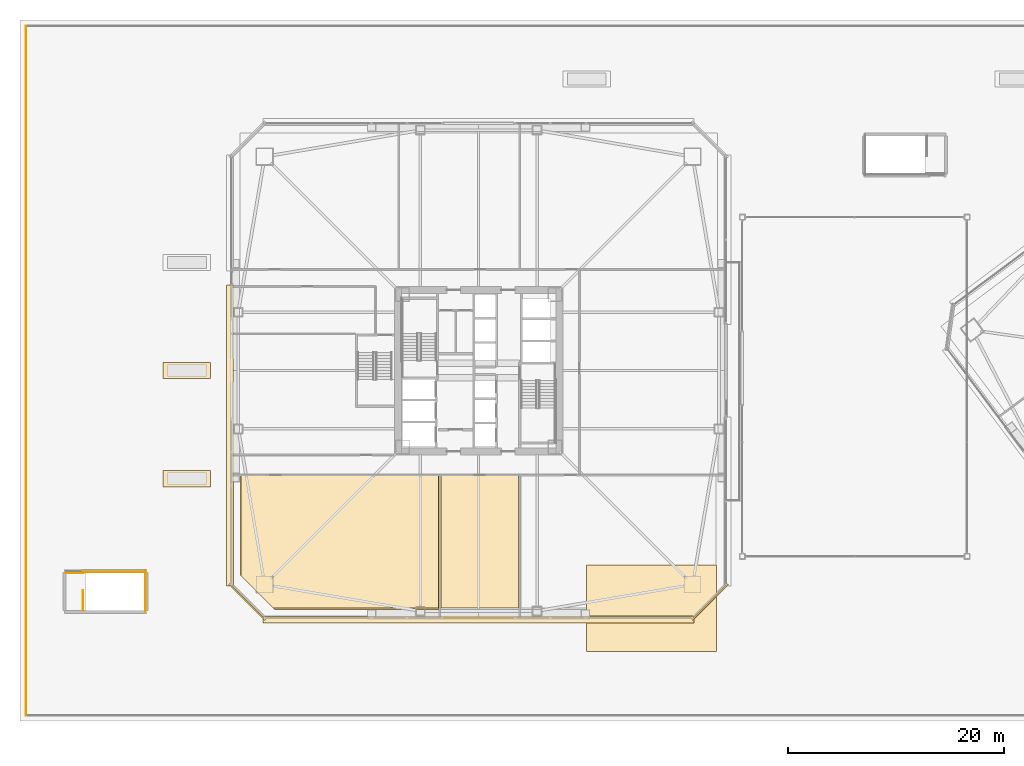
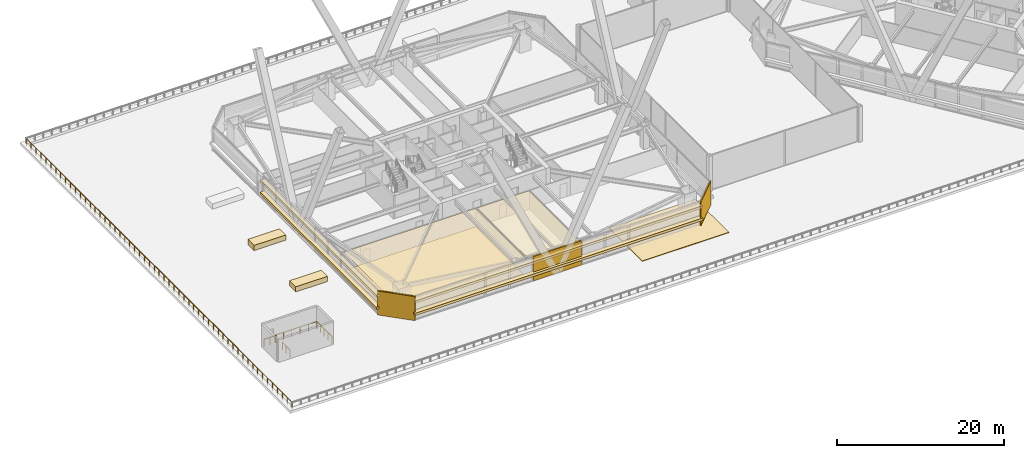
# One storey, part 73 of 83: 13 coverings, 5 railings.
"""IFC4 building model written with IfcOpenShell, lengths in metres."""

from ifc_helpers import new_model, si_unit, direction, frame, origin, origin_2d, place, context, subcontext, project, spatial, polyline, rectangle, outline, extrude, material, layer, layer_set, type_object, element, save


model = new_model("IFC4")

# Units and contexts
model_context = context("Model", 3, precision=1e-05, world=origin(), true_north=direction((0.0, 1.0)))
body_context = subcontext(model_context, "Body", "Model", "MODEL_VIEW")
ifc_project = project(units=[si_unit("LENGTHUNIT", "METRE"), si_unit("AREAUNIT", "SQUARE_METRE"), si_unit("VOLUMEUNIT", "CUBIC_METRE"), si_unit("PLANEANGLEUNIT", "RADIAN"), si_unit("MASSUNIT", "GRAM", prefix="KILO")], contexts=[model_context])

# Site, building, storey
site_placement = place(None, origin())
site = spatial("IfcSite", under=ifc_project, at=site_placement, CompositionType="ELEMENT")
building_placement = place(site_placement, origin())
building = spatial("IfcBuilding", under=site, at=building_placement, Name="Tashvorn Skyway Center", CompositionType="ELEMENT")
storey_placement = place(building_placement, frame((0.0, 0.0, 24.60009765625)))
storey = spatial("IfcBuildingStorey", under=building, at=storey_placement, Name="L05", CompositionType="ELEMENT", Elevation=24.60009765625)

# Coverings
ifc_material_1 = material(Name="Precast concrete C40/50", Category="concrete")
ifc_layer_1 = layer(ifc_material_1, 0.199951171875)
ifc_layer_set_1 = layer_set([ifc_layer_1], Name="Precast concrete C40/50")
covering_type_1 = type_object("IfcCoveringType", Name="COV-BRACE-CLAD", PredefinedType="CLADDING", material=ifc_layer_set_1)
covering_1_placement = place(storey_placement, frame((42.0, 9.1201171875, 0.0), z_axis=(0.0, 0.0, 1.0), x_axis=(-1.0, 0.0, 0.0)))
element("IfcCovering", 1, at=covering_1_placement, inside=storey, type_object=covering_type_1, Name="Tower 1 L05 South Unitised Curtain Wall Mega-Brace Cladding Band 1", PredefinedType="CLADDING", context=body_context, shape_type="SweptSolid", body=[
    extrude(rectangle(XDim=6.626708984375, YDim=0.199951171875, at=origin_2d()), origin(), (0.0, 0.0, 1.0), 3.550048828125),
])
ifc_material_2 = material(Name="Mineral-fibre acoustic ceiling tile on suspended grid")
ifc_layer_2 = layer(ifc_material_2, 0.02001953125)
ifc_layer_set_2 = layer_set([ifc_layer_2], Name="Mineral-fibre acoustic ceiling tile on suspended grid")
covering_type_2 = type_object("IfcCoveringType", Name="COV-CEIL-20", PredefinedType="CEILING", material=ifc_layer_set_2)
covering_2_placement = place(storey_placement, frame((0.0, 0.0, 2.682861328125)))
element("IfcCovering", 2, at=covering_2_placement, inside=storey, type_object=covering_type_2, Name="Tower 1 L05 Open Plan Office Acoustic Ceiling", PredefinedType="CEILING", context=body_context, shape_type="SweptSolid", body=[
    extrude(outline(polyline([(20.02001953125, 22.2900390625), (38.280029296875, 22.2900390625), (38.280029296875, 10.02001953125), (22.97998046875, 10.02001953125), (20.02001953125, 12.97998046875), (20.02001953125, 22.2900390625)])), origin(), (0.0, 0.0, 1.0), 0.02001953125),
])
covering_3_placement = place(storey_placement, frame((0.0, 0.0, 2.682861328125)))
element("IfcCovering", 3, at=covering_3_placement, inside=storey, type_object=covering_type_2, Name="Tower 1 L05 Catering Pantry Acoustic Ceiling", PredefinedType="CEILING", context=body_context, shape_type="SweptSolid", body=[
    extrude(outline(polyline([(38.52001953125, 22.2900390625), (45.679931640625, 22.2900390625), (45.679931640625, 10.02001953125), (38.52001953125, 10.02001953125), (38.52001953125, 22.2900390625)])), origin(), (0.0, 0.0, 1.0), 0.02001953125),
])
ifc_material_3 = material(Name="Polished Mojave desert-aggregate terrazzo and cover plate")
ifc_layer_3 = layer(ifc_material_3, 0.0400390625)
ifc_layer_set_3 = layer_set([ifc_layer_3], Name="Polished Mojave desert-aggregate terrazzo and cover plate")
covering_type_3 = type_object("IfcCoveringType", Name="COV-FLR-40", PredefinedType="FLOORING", material=ifc_layer_set_3)
covering_4_placement = place(storey_placement, origin())
element("IfcCovering", 4, at=covering_4_placement, inside=storey, type_object=covering_type_3, Name="Tower 1 L05 Open Plan Office Finish Flooring", PredefinedType="FLOORING", context=body_context, shape_type="SweptSolid", body=[
    extrude(outline(polyline([(23.10009765625, 9.89990234375), (19.97998046875, 13.02001953125), (19.97998046875, 22.25), (38.320068359375, 22.25), (38.320068359375, 9.89990234375), (23.10009765625, 9.89990234375)])), origin(), (0.0, 0.0, 1.0), 0.039794921875),
])
ifc_material_4 = material(Name="Inverted EPDM membrane and extruded polystyrene insulation")
ifc_layer_4 = layer(ifc_material_4, 0.080078125)
ifc_layer_set_4 = layer_set([ifc_layer_4], Name="Inverted EPDM membrane and extruded polystyrene insulation")
covering_type_4 = type_object("IfcCoveringType", Name="COV-ROOF-80", PredefinedType="ROOFING", material=ifc_layer_set_4)
covering_5_placement = place(storey_placement, origin())
element("IfcCovering", 5, at=covering_5_placement, inside=storey, type_object=covering_type_4, Name="L05 Podium Insulated Roof Membrane Zone", PredefinedType="ROOFING", context=body_context, shape_type="SweptSolid", body=[
    extrude(outline(polyline([(52.0, 6.0), (64.0, 6.0), (64.0, 14.0), (52.0, 14.0), (52.0, 6.0)])), origin(), (0.0, 0.0, 1.0), 0.079833984375),
])
ifc_material_5 = material(Name="Perforated ceramic-coated bronze aluminium solar screen", Category="aluminium")
ifc_layer_5 = layer(ifc_material_5, 0.85009765625)
ifc_layer_set_5 = layer_set([ifc_layer_5], Name="Perforated ceramic-coated bronze aluminium solar screen")
covering_type_5 = type_object("IfcCoveringType", Name="COV-SOLAR-BAND", PredefinedType="CLADDING", material=ifc_layer_set_5)
for number, where, z_axis, x_axis, name in (
    (6, (42.0, 8.97998046875, 0.919921875), (0.0, 0.0, 1.0), (-1.0, 0.0, 0.0), "L05 Perforated Ceramic-Metal Solar Screen Louvre Band South 1"),
    (7, (42.0, 8.97998046875, 2.7197265625), (0.0, 0.0, 1.0), (-1.0, 0.0, 0.0), "L05 Perforated Ceramic-Metal Solar Screen Louvre Band South 2"),
):
    element("IfcCovering", number, at=place(storey_placement, frame(where, z_axis=z_axis, x_axis=x_axis)), inside=storey, type_object=covering_type_5, Name=name, PredefinedType="CLADDING", context=body_context, shape_type="SweptSolid", body=[
        extrude(rectangle(XDim=39.8798828125, YDim=0.639892578125, at=origin_2d()), origin(), (0.0, 0.0, 1.0), 0.360107421875),
    ])
for number, where, z_axis, x_axis, name in (
    (8, (18.97998046875, 25.99365234375, 0.919921875), (0.0, 0.0, 1.0), (0.0, 1.0, 0.0), "L05 Perforated Ceramic-Metal Solar Screen Louvre Band West 1"),
    (9, (18.97998046875, 25.99365234375, 2.7197265625), (0.0, 0.0, 1.0), (0.0, 1.0, 0.0), "L05 Perforated Ceramic-Metal Solar Screen Louvre Band West 2"),
):
    element("IfcCovering", number, at=place(storey_placement, frame(where, z_axis=z_axis, x_axis=x_axis)), inside=storey, type_object=covering_type_5, Name=name, PredefinedType="CLADDING", context=body_context, shape_type="SweptSolid", body=[
        extrude(rectangle(XDim=27.867431640625, YDim=0.639892578125, at=origin_2d()), origin(), (0.0, 0.0, 1.0), 0.360107421875),
    ])
ifc_layer_6 = layer(ifc_material_1, 0.35009765625)
ifc_layer_set_6 = layer_set([ifc_layer_6], Name="Precast concrete C40/50")
covering_type_6 = type_object("IfcCoveringType", Name="COV-STONE-TRIM", PredefinedType="CLADDING", material=ifc_layer_set_6)
for number, where, z_axis, x_axis, name in (
    (10, (15.0, 22.0, 0.0), (0.0, 0.0, 1.0), (1.0, 0.0, 0.0), "L05 Podium Roof Garden Stone Planter Kerb 1"),
    (11, (15.0, 32.0, 0.0), (0.0, 0.0, 1.0), (1.0, 0.0, 0.0), "L05 Podium Roof Garden Stone Planter Kerb 2"),
):
    element("IfcCovering", number, at=place(storey_placement, frame(where, z_axis=z_axis, x_axis=x_axis)), inside=storey, type_object=covering_type_6, Name=name, PredefinedType="CLADDING", context=body_context, shape_type="SweptSolid", body=[
        extrude(rectangle(XDim=4.39990234375, YDim=1.5, at=origin_2d()), origin(), (0.0, 0.0, 1.0), 0.760009765625),
    ])
for number, where, z_axis, x_axis, name in (
    (12, (20.580078125, 10.580078125, 0.02001953125), (0.0, 0.0, 1.0), (-0.707106781187, 0.707106781187, 0.0), "Tower 1 L05 SW Mojave Limestone Corner Quoin"),
    (13, (63.419921875, 10.580078125, 0.02001953125), (0.0, 0.0, 1.0), (0.707106781187, 0.707106781187, 0.0), "Tower 1 L05 SE Mojave Limestone Corner Quoin"),
):
    element("IfcCovering", number, at=place(storey_placement, frame(where, z_axis=z_axis, x_axis=x_axis)), inside=storey, type_object=covering_type_6, Name=name, PredefinedType="CLADDING", context=body_context, shape_type="SweptSolid", body=[
        extrude(rectangle(XDim=4.685546875, YDim=0.139892578125, at=origin_2d()), origin(), (0.0, 0.0, 1.0), 3.510009765625),
    ])

# Railings
ifc_material_6 = material(Name="Galvanized steel S355", Category="steel")
railing_type_1 = type_object("IfcRailingType", Name="RAIL-GUARD-1120", PredefinedType="GUARDRAIL", material=ifc_material_6)
railing_1_placement = place(storey_placement, frame((0.10009765625, 63.89990234375, 0.0)))
element("IfcRailing", 14, at=railing_1_placement, inside=storey, type_object=railing_type_1, Name="L05 Podium Roof Garden Perimeter Guardrail 04", PredefinedType="GUARDRAIL", context=body_context, shape_type="SweptSolid", body=[
    extrude(rectangle(XDim=0.048095703125, YDim=0.048095703125, at=origin_2d()), frame((0.0, 0.0, 1.09619140625), z_axis=(0.0, -1.0, 0.0), x_axis=(1.0, 0.0, 0.0)), (0.0, 0.0, 1.0), 63.7998046875),
    extrude(rectangle(XDim=0.0419921875, YDim=0.0419921875, at=origin_2d()), origin(), (0.0, 0.0, 1.0), 1.072021484375),
    extrude(rectangle(XDim=0.0419921875, YDim=0.0419921875, at=origin_2d()), frame((0.0, -1.181396484375, 0.0)), (0.0, 0.0, 1.0), 1.072021484375),
    extrude(rectangle(XDim=0.0419921875, YDim=0.0419921875, at=origin_2d()), frame((0.0, -2.363037109375, 0.0)), (0.0, 0.0, 1.0), 1.072021484375),
    extrude(rectangle(XDim=0.0419921875, YDim=0.0419921875, at=origin_2d()), frame((0.0, -3.54443359375, 0.0)), (0.0, 0.0, 1.0), 1.072021484375),
    extrude(rectangle(XDim=0.0419921875, YDim=0.0419921875, at=origin_2d()), frame((0.0, -4.725830078125, 0.0)), (0.0, 0.0, 1.0), 1.072021484375),
    extrude(rectangle(XDim=0.0419921875, YDim=0.0419921875, at=origin_2d()), frame((0.0, -5.907470703125, 0.0)), (0.0, 0.0, 1.0), 1.072021484375),
    extrude(rectangle(XDim=0.0419921875, YDim=0.0419921875, at=origin_2d()), frame((0.0, -7.0888671875, 0.0)), (0.0, 0.0, 1.0), 1.072021484375),
    extrude(rectangle(XDim=0.0419921875, YDim=0.0419921875, at=origin_2d()), frame((0.0, -8.270263671875, 0.0)), (0.0, 0.0, 1.0), 1.072021484375),
    extrude(rectangle(XDim=0.0419921875, YDim=0.0419921875, at=origin_2d()), frame((0.0, -9.451904296875, 0.0)), (0.0, 0.0, 1.0), 1.072021484375),
    extrude(rectangle(XDim=0.0419921875, YDim=0.0419921875, at=origin_2d()), frame((0.0, -10.63330078125, 0.0)), (0.0, 0.0, 1.0), 1.072021484375),
    extrude(rectangle(XDim=0.0419921875, YDim=0.0419921875, at=origin_2d()), frame((0.0, -11.814697265625, 0.0)), (0.0, 0.0, 1.0), 1.072021484375),
    extrude(rectangle(XDim=0.0419921875, YDim=0.0419921875, at=origin_2d()), frame((0.0, -12.996337890625, 0.0)), (0.0, 0.0, 1.0), 1.072021484375),
    extrude(rectangle(XDim=0.0419921875, YDim=0.0419921875, at=origin_2d()), frame((0.0, -14.177734375, 0.0)), (0.0, 0.0, 1.0), 1.072021484375),
    extrude(rectangle(XDim=0.0419921875, YDim=0.0419921875, at=origin_2d()), frame((0.0, -15.359130859375, 0.0)), (0.0, 0.0, 1.0), 1.072021484375),
    extrude(rectangle(XDim=0.0419921875, YDim=0.0419921875, at=origin_2d()), frame((0.0, -16.540771484375, 0.0)), (0.0, 0.0, 1.0), 1.072021484375),
    extrude(rectangle(XDim=0.0419921875, YDim=0.0419921875, at=origin_2d()), frame((0.0, -17.72216796875, 0.0)), (0.0, 0.0, 1.0), 1.072021484375),
    extrude(rectangle(XDim=0.0419921875, YDim=0.0419921875, at=origin_2d()), frame((0.0, -18.903564453125, 0.0)), (0.0, 0.0, 1.0), 1.072021484375),
    extrude(rectangle(XDim=0.0419921875, YDim=0.0419921875, at=origin_2d()), frame((0.0, -20.085205078125, 0.0)), (0.0, 0.0, 1.0), 1.072021484375),
    extrude(rectangle(XDim=0.0419921875, YDim=0.0419921875, at=origin_2d()), frame((0.0, -21.2666015625, 0.0)), (0.0, 0.0, 1.0), 1.072021484375),
    extrude(rectangle(XDim=0.0419921875, YDim=0.0419921875, at=origin_2d()), frame((0.0, -22.447998046875, 0.0)), (0.0, 0.0, 1.0), 1.072021484375),
    extrude(rectangle(XDim=0.0419921875, YDim=0.0419921875, at=origin_2d()), frame((0.0, -23.629638671875, 0.0)), (0.0, 0.0, 1.0), 1.072021484375),
    extrude(rectangle(XDim=0.0419921875, YDim=0.0419921875, at=origin_2d()), frame((0.0, -24.81103515625, 0.0)), (0.0, 0.0, 1.0), 1.072021484375),
    extrude(rectangle(XDim=0.0419921875, YDim=0.0419921875, at=origin_2d()), frame((0.0, -25.992431640625, 0.0)), (0.0, 0.0, 1.0), 1.072021484375),
    extrude(rectangle(XDim=0.0419921875, YDim=0.0419921875, at=origin_2d()), frame((0.0, -27.174072265625, 0.0)), (0.0, 0.0, 1.0), 1.072021484375),
    extrude(rectangle(XDim=0.0419921875, YDim=0.0419921875, at=origin_2d()), frame((0.0, -28.35546875, 0.0)), (0.0, 0.0, 1.0), 1.072021484375),
    extrude(rectangle(XDim=0.0419921875, YDim=0.0419921875, at=origin_2d()), frame((0.0, -29.536865234375, 0.0)), (0.0, 0.0, 1.0), 1.072021484375),
    extrude(rectangle(XDim=0.0419921875, YDim=0.0419921875, at=origin_2d()), frame((0.0, -30.718505859375, 0.0)), (0.0, 0.0, 1.0), 1.072021484375),
    extrude(rectangle(XDim=0.0419921875, YDim=0.0419921875, at=origin_2d()), frame((0.0, -31.89990234375, 0.0)), (0.0, 0.0, 1.0), 1.072021484375),
    extrude(rectangle(XDim=0.0419921875, YDim=0.0419921875, at=origin_2d()), frame((0.0, -33.081298828125, 0.0)), (0.0, 0.0, 1.0), 1.072021484375),
    extrude(rectangle(XDim=0.0419921875, YDim=0.0419921875, at=origin_2d()), frame((0.0, -34.262939453125, 0.0)), (0.0, 0.0, 1.0), 1.072021484375),
    extrude(rectangle(XDim=0.0419921875, YDim=0.0419921875, at=origin_2d()), frame((0.0, -35.4443359375, 0.0)), (0.0, 0.0, 1.0), 1.072021484375),
    extrude(rectangle(XDim=0.0419921875, YDim=0.0419921875, at=origin_2d()), frame((0.0, -36.625732421875, 0.0)), (0.0, 0.0, 1.0), 1.072021484375),
    extrude(rectangle(XDim=0.0419921875, YDim=0.0419921875, at=origin_2d()), frame((0.0, -37.807373046875, 0.0)), (0.0, 0.0, 1.0), 1.072021484375),
    extrude(rectangle(XDim=0.0419921875, YDim=0.0419921875, at=origin_2d()), frame((0.0, -38.98876953125, 0.0)), (0.0, 0.0, 1.0), 1.072021484375),
    extrude(rectangle(XDim=0.0419921875, YDim=0.0419921875, at=origin_2d()), frame((0.0, -40.170166015625, 0.0)), (0.0, 0.0, 1.0), 1.072021484375),
    extrude(rectangle(XDim=0.0419921875, YDim=0.0419921875, at=origin_2d()), frame((0.0, -41.351806640625, 0.0)), (0.0, 0.0, 1.0), 1.072021484375),
    extrude(rectangle(XDim=0.0419921875, YDim=0.0419921875, at=origin_2d()), frame((0.0, -42.533203125, 0.0)), (0.0, 0.0, 1.0), 1.072021484375),
    extrude(rectangle(XDim=0.0419921875, YDim=0.0419921875, at=origin_2d()), frame((0.0, -43.714599609375, 0.0)), (0.0, 0.0, 1.0), 1.072021484375),
    extrude(rectangle(XDim=0.0419921875, YDim=0.0419921875, at=origin_2d()), frame((0.0, -44.896240234375, 0.0)), (0.0, 0.0, 1.0), 1.072021484375),
    extrude(rectangle(XDim=0.0419921875, YDim=0.0419921875, at=origin_2d()), frame((0.0, -46.07763671875, 0.0)), (0.0, 0.0, 1.0), 1.072021484375),
    extrude(rectangle(XDim=0.0419921875, YDim=0.0419921875, at=origin_2d()), frame((0.0, -47.259033203125, 0.0)), (0.0, 0.0, 1.0), 1.072021484375),
    extrude(rectangle(XDim=0.0419921875, YDim=0.0419921875, at=origin_2d()), frame((0.0, -48.440673828125, 0.0)), (0.0, 0.0, 1.0), 1.072021484375),
    extrude(rectangle(XDim=0.0419921875, YDim=0.0419921875, at=origin_2d()), frame((0.0, -49.6220703125, 0.0)), (0.0, 0.0, 1.0), 1.072021484375),
    extrude(rectangle(XDim=0.0419921875, YDim=0.0419921875, at=origin_2d()), frame((0.0, -50.803466796875, 0.0)), (0.0, 0.0, 1.0), 1.072021484375),
    extrude(rectangle(XDim=0.0419921875, YDim=0.0419921875, at=origin_2d()), frame((0.0, -51.985107421875, 0.0)), (0.0, 0.0, 1.0), 1.072021484375),
    extrude(rectangle(XDim=0.0419921875, YDim=0.0419921875, at=origin_2d()), frame((0.0, -53.16650390625, 0.0)), (0.0, 0.0, 1.0), 1.072021484375),
    extrude(rectangle(XDim=0.0419921875, YDim=0.0419921875, at=origin_2d()), frame((0.0, -54.347900390625, 0.0)), (0.0, 0.0, 1.0), 1.072021484375),
    extrude(rectangle(XDim=0.0419921875, YDim=0.0419921875, at=origin_2d()), frame((0.0, -55.529541015625, 0.0)), (0.0, 0.0, 1.0), 1.072021484375),
    extrude(rectangle(XDim=0.0419921875, YDim=0.0419921875, at=origin_2d()), frame((0.0, -56.7109375, 0.0)), (0.0, 0.0, 1.0), 1.072021484375),
    extrude(rectangle(XDim=0.0419921875, YDim=0.0419921875, at=origin_2d()), frame((0.0, -57.892333984375, 0.0)), (0.0, 0.0, 1.0), 1.072021484375),
    extrude(rectangle(XDim=0.0419921875, YDim=0.0419921875, at=origin_2d()), frame((0.0, -59.073974609375, 0.0)), (0.0, 0.0, 1.0), 1.072021484375),
    extrude(rectangle(XDim=0.0419921875, YDim=0.0419921875, at=origin_2d()), frame((0.0, -60.25537109375, 0.0)), (0.0, 0.0, 1.0), 1.072021484375),
    extrude(rectangle(XDim=0.0419921875, YDim=0.0419921875, at=origin_2d()), frame((0.0, -61.436767578125, 0.0)), (0.0, 0.0, 1.0), 1.072021484375),
    extrude(rectangle(XDim=0.0419921875, YDim=0.0419921875, at=origin_2d()), frame((0.0, -62.618408203125, 0.0)), (0.0, 0.0, 1.0), 1.072021484375),
    extrude(rectangle(XDim=0.0419921875, YDim=0.0419921875, at=origin_2d()), frame((0.0, -63.7998046875, 0.0)), (0.0, 0.0, 1.0), 1.072021484375),
])
ifc_material_7 = material(Name="Painted galvanized steel S355", Category="steel")
railing_type_2 = type_object("IfcRailingType", Name="RAIL-STGUARD-1100", PredefinedType="GUARDRAIL", material=ifc_material_7)
railing_2_placement = place(storey_placement, frame((5.39990234375, 9.800048828125, 0.0)))
element("IfcRailing", 15, at=railing_2_placement, inside=storey, type_object=railing_type_2, Name="L05 ST-POD-1 top well guard 1", PredefinedType="GUARDRAIL", context=body_context, shape_type="SweptSolid", body=[
    extrude(rectangle(XDim=0.048095703125, YDim=0.048095703125, at=origin_2d()), frame((0.0, 0.0, 1.076171875), z_axis=(0.0, 1.0, 0.0), x_axis=(-1.0, 0.0, 0.0)), (0.0, 0.0, 1.0), 1.849853515625),
    extrude(rectangle(XDim=0.0419921875, YDim=0.0419921875, at=origin_2d()), origin(), (0.0, 0.0, 1.0), 1.052001953125),
    extrude(rectangle(XDim=0.0419921875, YDim=0.0419921875, at=origin_2d()), frame((0.0, 0.9248046875, 0.0)), (0.0, 0.0, 1.0), 1.052001953125),
    extrude(rectangle(XDim=0.0419921875, YDim=0.0419921875, at=origin_2d()), frame((0.0, 1.849853515625, 0.0)), (0.0, 0.0, 1.0), 1.052001953125),
])
railing_3_placement = place(storey_placement, frame((5.35009765625, 13.35009765625, 0.0)))
element("IfcRailing", 16, at=railing_3_placement, inside=storey, type_object=railing_type_2, Name="L05 ST-POD-1 top well guard 2", PredefinedType="GUARDRAIL", context=body_context, shape_type="SweptSolid", body=[
    extrude(rectangle(XDim=0.048095703125, YDim=0.048095703125, at=origin_2d()), frame((0.0, 0.0, 1.076171875), z_axis=(1.0, 0.0, 0.0), x_axis=(0.0, 1.0, 0.0)), (0.0, 0.0, 1.0), 5.849853515625),
    extrude(rectangle(XDim=0.0419921875, YDim=0.0419921875, at=origin_2d()), origin(), (0.0, 0.0, 1.0), 1.052001953125),
    extrude(rectangle(XDim=0.0419921875, YDim=0.0419921875, at=origin_2d()), frame((1.169921875, 0.0, 0.0)), (0.0, 0.0, 1.0), 1.052001953125),
    extrude(rectangle(XDim=0.0419921875, YDim=0.0419921875, at=origin_2d()), frame((2.33984375, 0.0, 0.0)), (0.0, 0.0, 1.0), 1.052001953125),
    extrude(rectangle(XDim=0.0419921875, YDim=0.0419921875, at=origin_2d()), frame((3.510009765625, 0.0, 0.0)), (0.0, 0.0, 1.0), 1.052001953125),
    extrude(rectangle(XDim=0.0419921875, YDim=0.0419921875, at=origin_2d()), frame((4.679931640625, 0.0, 0.0)), (0.0, 0.0, 1.0), 1.052001953125),
    extrude(rectangle(XDim=0.0419921875, YDim=0.0419921875, at=origin_2d()), frame((5.849853515625, 0.0, 0.0)), (0.0, 0.0, 1.0), 1.052001953125),
])
railing_4_placement = place(storey_placement, frame((11.14990234375, 9.699951171875, 0.0)))
element("IfcRailing", 17, at=railing_4_placement, inside=storey, type_object=railing_type_2, Name="L05 ST-POD-1 top well guard 3", PredefinedType="GUARDRAIL", context=body_context, shape_type="SweptSolid", body=[
    extrude(rectangle(XDim=0.048095703125, YDim=0.048095703125, at=origin_2d()), frame((0.0, 0.0, 1.076171875), z_axis=(0.0, 1.0, 0.0), x_axis=(-1.0, 0.0, 0.0)), (0.0, 0.0, 1.0), 3.699951171875),
    extrude(rectangle(XDim=0.0419921875, YDim=0.0419921875, at=origin_2d()), origin(), (0.0, 0.0, 1.0), 1.052001953125),
    extrude(rectangle(XDim=0.0419921875, YDim=0.0419921875, at=origin_2d()), frame((0.0, 0.925048828125, 0.0)), (0.0, 0.0, 1.0), 1.052001953125),
    extrude(rectangle(XDim=0.0419921875, YDim=0.0419921875, at=origin_2d()), frame((0.0, 1.85009765625, 0.0)), (0.0, 0.0, 1.0), 1.052001953125),
    extrude(rectangle(XDim=0.0419921875, YDim=0.0419921875, at=origin_2d()), frame((0.0, 2.77490234375, 0.0)), (0.0, 0.0, 1.0), 1.052001953125),
    extrude(rectangle(XDim=0.0419921875, YDim=0.0419921875, at=origin_2d()), frame((0.0, 3.699951171875, 0.0)), (0.0, 0.0, 1.0), 1.052001953125),
])
railing_5_placement = place(storey_placement, frame((3.800048828125, 13.25, 0.0)))
element("IfcRailing", 18, at=railing_5_placement, inside=storey, type_object=railing_type_2, Name="L05 ST-POD-1 top well guard 4", PredefinedType="GUARDRAIL", context=body_context, shape_type="SweptSolid", body=[
    extrude(rectangle(XDim=0.048095703125, YDim=0.048095703125, at=origin_2d()), frame((0.0, 0.0, 1.076171875), z_axis=(1.0, 0.0, 0.0), x_axis=(0.0, 1.0, 0.0)), (0.0, 0.0, 1.0), 1.64990234375),
    extrude(rectangle(XDim=0.0419921875, YDim=0.0419921875, at=origin_2d()), origin(), (0.0, 0.0, 1.0), 1.052001953125),
    extrude(rectangle(XDim=0.0419921875, YDim=0.0419921875, at=origin_2d()), frame((0.824951171875, 0.0, 0.0)), (0.0, 0.0, 1.0), 1.052001953125),
    extrude(rectangle(XDim=0.0419921875, YDim=0.0419921875, at=origin_2d()), frame((1.64990234375, 0.0, 0.0)), (0.0, 0.0, 1.0), 1.052001953125),
])

save(model, "model.ifc")
